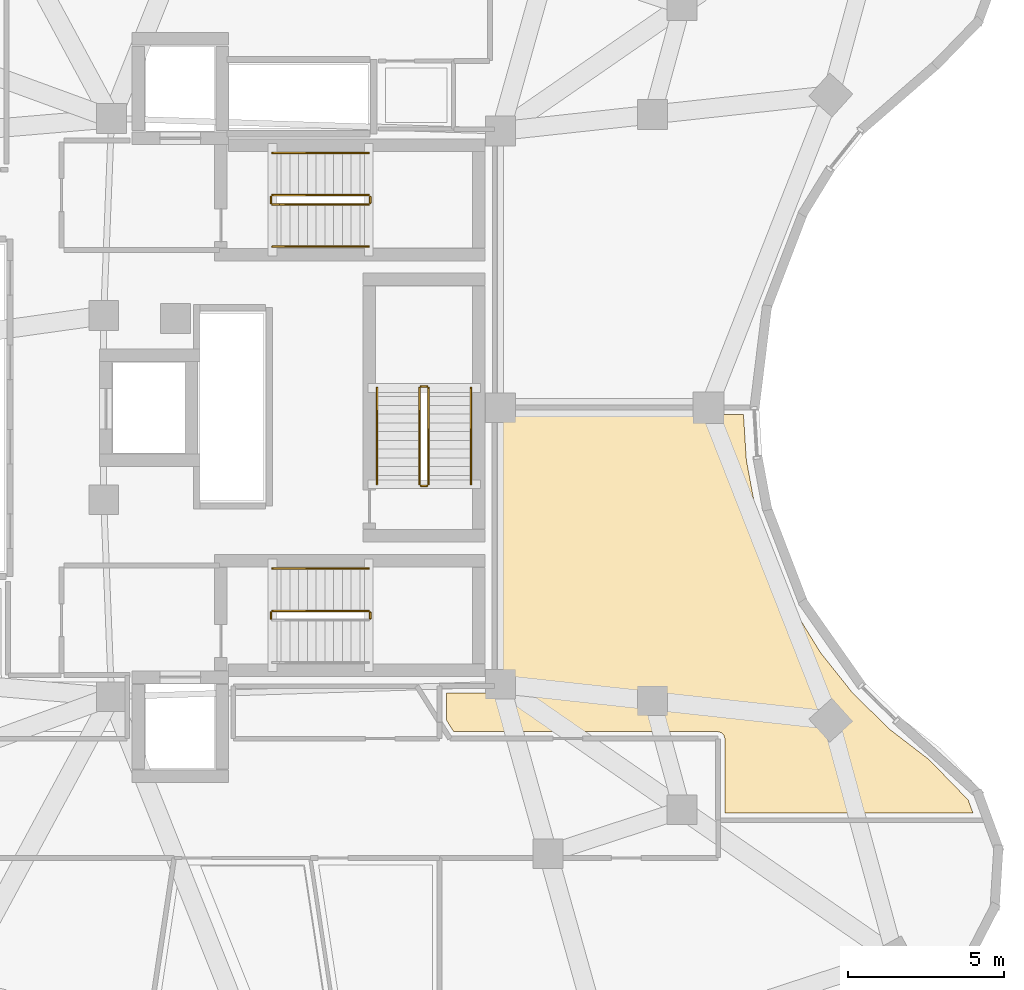
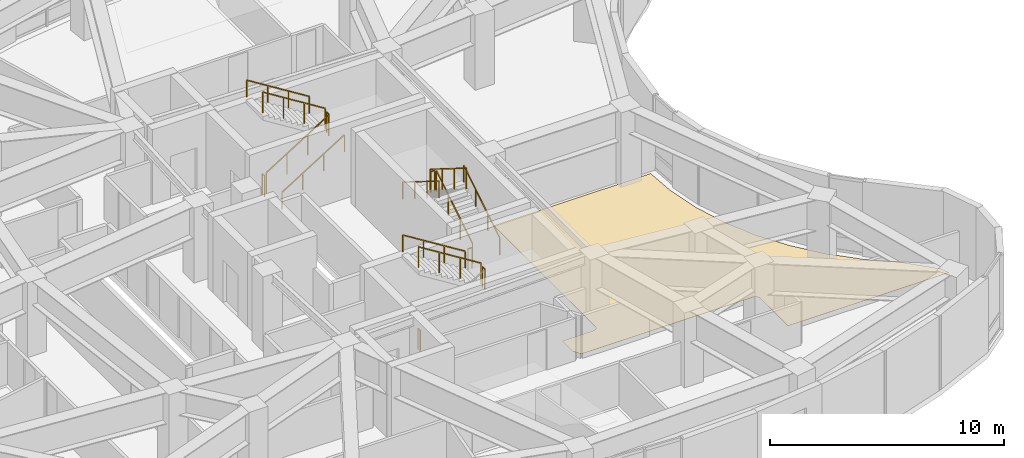
# One storey, part 13 of 14: 16 railings, 1 covering.
"""IFC4 building model written with IfcOpenShell, lengths in metres."""

from ifc_helpers import new_model, si_unit, direction, frame, origin, origin_2d, place, context, subcontext, project, spatial, polyline, rectangle, outline, extrude, material, layer, layer_set, type_object, element, save


model = new_model("IFC4")

# Units and contexts
model_context = context("Model", 3, precision=1e-05, world=origin(), true_north=direction((0.0, 1.0)))
body_context = subcontext(model_context, "Body", "Model", "MODEL_VIEW")
ifc_project = project(units=[si_unit("LENGTHUNIT", "METRE"), si_unit("AREAUNIT", "SQUARE_METRE"), si_unit("VOLUMEUNIT", "CUBIC_METRE"), si_unit("PLANEANGLEUNIT", "RADIAN"), si_unit("MASSUNIT", "GRAM", prefix="KILO")], contexts=[model_context])

# Site, building, storey
site_placement = place(None, origin())
site = spatial("IfcSite", under=ifc_project, at=site_placement, CompositionType="ELEMENT")
building_placement = place(site_placement, origin())
building = spatial("IfcBuilding", under=site, at=building_placement, Name="Korentha Bioscience Tower", CompositionType="ELEMENT")
storey_placement = place(building_placement, frame((0.0, 0.0, 239.39990234375)))
storey = spatial("IfcBuildingStorey", under=building, at=storey_placement, Name="L55", CompositionType="ELEMENT", Elevation=239.39990234375)

# Railings
ifc_material_1 = material(Name="Stainless Steel 304", Category="steel")
railing_type_1 = type_object("IfcRailingType", Name="Brushed Stainless Stair Handrail 900", PredefinedType="HANDRAIL", material=ifc_material_1)
railing_1_placement = place(storey_placement, frame((30.25, 32.14990234375, 0.175048828125)))
element("IfcRailing", 1, at=railing_1_placement, inside=storey, type_object=railing_type_1, Name="L55 ST-1 stair handrail 1", PredefinedType="HANDRAIL", context=body_context, shape_type="SweptSolid", body=[
    extrude(rectangle(XDim=0.048095703125, YDim=0.048095703125, at=origin_2d()), frame((0.0, 0.0, 0.8759765625), z_axis=(0.847998304005, 0.0, 0.529998940003), x_axis=(0.0, 1.0, 0.0)), (0.0, 0.0, 1.0), 3.632080078125),
    extrude(rectangle(XDim=0.0419921875, YDim=0.0419921875, at=origin_2d()), origin(), (0.0, 0.0, 1.0), 0.851806640625),
    extrude(rectangle(XDim=0.0419921875, YDim=0.0419921875, at=origin_2d()), frame((1.026611328125, 0.0, 0.6416015625)), (0.0, 0.0, 1.0), 0.851806640625),
    extrude(rectangle(XDim=0.0419921875, YDim=0.0419921875, at=origin_2d()), frame((2.053466796875, 0.0, 1.283447265625)), (0.0, 0.0, 1.0), 0.851806640625),
    extrude(rectangle(XDim=0.0419921875, YDim=0.0419921875, at=origin_2d()), frame((3.080078125, 0.0, 1.925048828125)), (0.0, 0.0, 1.0), 0.851806640625),
])
for number, where, name in (
    (2, (33.330078125, 35.14990234375, 2.275146484375), "L55 ST-1 stair handrail 2"),
    (3, (33.330078125, 21.85009765625, 2.275146484375), "L55 ST-2 stair handrail 2"),
):
    element("IfcRailing", number, at=place(storey_placement, frame(where)), inside=storey, type_object=railing_type_1, Name=name, PredefinedType="HANDRAIL", context=body_context, shape_type="SweptSolid", body=[
        extrude(rectangle(XDim=0.048095703125, YDim=0.048095703125, at=origin_2d()), frame((0.0, 0.0, 0.8759765625), z_axis=(-0.847998304005, 0.0, 0.529998940003), x_axis=(0.0, -1.0, 0.0)), (0.0, 0.0, 1.0), 3.632080078125),
        extrude(rectangle(XDim=0.0419921875, YDim=0.0419921875, at=origin_2d()), origin(), (0.0, 0.0, 1.0), 0.851806640625),
        extrude(rectangle(XDim=0.0419921875, YDim=0.0419921875, at=origin_2d()), frame((-1.026611328125, 0.0, 0.6416015625)), (0.0, 0.0, 1.0), 0.851806640625),
        extrude(rectangle(XDim=0.0419921875, YDim=0.0419921875, at=origin_2d()), frame((-2.053466796875, 0.0, 1.283447265625)), (0.0, 0.0, 1.0), 0.851806640625),
        extrude(rectangle(XDim=0.0419921875, YDim=0.0419921875, at=origin_2d()), frame((-3.080078125, 0.0, 1.925048828125)), (0.0, 0.0, 1.0), 0.851806640625),
    ])
railing_2_placement = place(storey_placement, frame((36.60009765625, 24.550048828125, 0.175048828125)))
element("IfcRailing", 4, at=railing_2_placement, inside=storey, type_object=railing_type_1, Name="L55 ST-3 stair handrail 1", PredefinedType="HANDRAIL", context=body_context, shape_type="SweptSolid", body=[
    extrude(rectangle(XDim=0.048095703125, YDim=0.048095703125, at=origin_2d()), frame((0.0, 0.0, 0.8759765625), z_axis=(0.0, 0.847979421464, 0.530029150871), x_axis=(-1.0, 0.0, 0.0)), (0.0, 0.0, 1.0), 3.632080078125),
    extrude(rectangle(XDim=0.0419921875, YDim=0.0419921875, at=origin_2d()), origin(), (0.0, 0.0, 1.0), 0.851806640625),
    extrude(rectangle(XDim=0.0419921875, YDim=0.0419921875, at=origin_2d()), frame((0.0, 1.026611328125, 0.6416015625)), (0.0, 0.0, 1.0), 0.851806640625),
    extrude(rectangle(XDim=0.0419921875, YDim=0.0419921875, at=origin_2d()), frame((0.0, 2.05322265625, 1.283447265625)), (0.0, 0.0, 1.0), 0.851806640625),
    extrude(rectangle(XDim=0.0419921875, YDim=0.0419921875, at=origin_2d()), frame((0.0, 3.079833984375, 1.925048828125)), (0.0, 0.0, 1.0), 0.851806640625),
])
railing_3_placement = place(storey_placement, frame((33.60009765625, 27.6298828125, 2.275146484375)))
element("IfcRailing", 5, at=railing_3_placement, inside=storey, type_object=railing_type_1, Name="L55 ST-3 stair handrail 2", PredefinedType="HANDRAIL", context=body_context, shape_type="SweptSolid", body=[
    extrude(rectangle(XDim=0.048095703125, YDim=0.048095703125, at=origin_2d()), frame((0.0, 0.0, 0.8759765625), z_axis=(0.0, -0.847979421464, 0.530029150871), x_axis=(1.0, 0.0, 0.0)), (0.0, 0.0, 1.0), 3.632080078125),
    extrude(rectangle(XDim=0.0419921875, YDim=0.0419921875, at=origin_2d()), origin(), (0.0, 0.0, 1.0), 0.851806640625),
    extrude(rectangle(XDim=0.0419921875, YDim=0.0419921875, at=origin_2d()), frame((0.0, -1.026611328125, 0.6416015625)), (0.0, 0.0, 1.0), 0.851806640625),
    extrude(rectangle(XDim=0.0419921875, YDim=0.0419921875, at=origin_2d()), frame((0.0, -2.05322265625, 1.283447265625)), (0.0, 0.0, 1.0), 0.851806640625),
    extrude(rectangle(XDim=0.0419921875, YDim=0.0419921875, at=origin_2d()), frame((0.0, -3.079833984375, 1.925048828125)), (0.0, 0.0, 1.0), 0.851806640625),
])
ifc_material_2 = material(Name="Painted Steel S275", Category="steel")
railing_type_2 = type_object("IfcRailingType", Name="Painted Steel Stair Well Guardrail 1100", PredefinedType="GUARDRAIL", material=ifc_material_2)
railing_4_placement = place(storey_placement, frame((30.25, 33.5, 0.175048828125)))
element("IfcRailing", 6, at=railing_4_placement, inside=storey, type_object=railing_type_2, Name="L55 ST-1 stair guard 1", PredefinedType="GUARDRAIL", context=body_context, shape_type="SweptSolid", body=[
    extrude(rectangle(XDim=0.048095703125, YDim=0.048095703125, at=origin_2d()), frame((0.0, 0.0, 1.076171875), z_axis=(0.847998304005, 0.0, 0.529998940003), x_axis=(0.0, 1.0, 0.0)), (0.0, 0.0, 1.0), 3.632080078125),
    extrude(rectangle(XDim=0.0419921875, YDim=0.0419921875, at=origin_2d()), origin(), (0.0, 0.0, 1.0), 1.052001953125),
    extrude(rectangle(XDim=0.0419921875, YDim=0.0419921875, at=origin_2d()), frame((1.026611328125, 0.0, 0.6416015625)), (0.0, 0.0, 1.0), 1.052001953125),
    extrude(rectangle(XDim=0.0419921875, YDim=0.0419921875, at=origin_2d()), frame((2.053466796875, 0.0, 1.283447265625)), (0.0, 0.0, 1.0), 1.052001953125),
    extrude(rectangle(XDim=0.0419921875, YDim=0.0419921875, at=origin_2d()), frame((3.080078125, 0.0, 1.925048828125)), (0.0, 0.0, 1.0), 1.052001953125),
])
railing_5_placement = place(storey_placement, frame((33.3798828125, 33.550048828125, 2.10009765625)))
element("IfcRailing", 7, at=railing_5_placement, inside=storey, type_object=railing_type_2, Name="L55 ST-1 stair guard 2", PredefinedType="GUARDRAIL", context=body_context, shape_type="SweptSolid", body=[
    extrude(rectangle(XDim=0.048095703125, YDim=0.048095703125, at=origin_2d()), frame((0.0, 0.0, 1.076171875), z_axis=(0.0, 1.0, 0.0), x_axis=(-1.0, 0.0, 0.0)), (0.0, 0.0, 1.0), 0.199951171875),
    extrude(rectangle(XDim=0.0419921875, YDim=0.0419921875, at=origin_2d()), origin(), (0.0, 0.0, 1.0), 1.052001953125),
    extrude(rectangle(XDim=0.0419921875, YDim=0.0419921875, at=origin_2d()), frame((0.0, 0.199951171875, 0.0)), (0.0, 0.0, 1.0), 1.052001953125),
])
railing_6_placement = place(storey_placement, frame((33.330078125, 33.800048828125, 2.275146484375)))
element("IfcRailing", 8, at=railing_6_placement, inside=storey, type_object=railing_type_2, Name="L55 ST-1 stair guard 3", PredefinedType="GUARDRAIL", context=body_context, shape_type="SweptSolid", body=[
    extrude(rectangle(XDim=0.048095703125, YDim=0.048095703125, at=origin_2d()), frame((0.0, 0.0, 1.076171875), z_axis=(-0.847998304005, 0.0, 0.529998940003), x_axis=(0.0, -1.0, 0.0)), (0.0, 0.0, 1.0), 3.632080078125),
    extrude(rectangle(XDim=0.0419921875, YDim=0.0419921875, at=origin_2d()), origin(), (0.0, 0.0, 1.0), 1.052001953125),
    extrude(rectangle(XDim=0.0419921875, YDim=0.0419921875, at=origin_2d()), frame((-1.026611328125, 0.0, 0.6416015625)), (0.0, 0.0, 1.0), 1.052001953125),
    extrude(rectangle(XDim=0.0419921875, YDim=0.0419921875, at=origin_2d()), frame((-2.053466796875, 0.0, 1.283447265625)), (0.0, 0.0, 1.0), 1.052001953125),
    extrude(rectangle(XDim=0.0419921875, YDim=0.0419921875, at=origin_2d()), frame((-3.080078125, 0.0, 1.925048828125)), (0.0, 0.0, 1.0), 1.052001953125),
])
for number, where, name in (
    (9, (30.199951171875, 33.550048828125, 0.0), "L55 ST-1 stair guard 4"),
    (10, (33.3798828125, 20.25, 2.10009765625), "L55 ST-2 stair guard 2"),
):
    element("IfcRailing", number, at=place(storey_placement, frame(where)), inside=storey, type_object=railing_type_2, Name=name, PredefinedType="GUARDRAIL", context=body_context, shape_type="SweptSolid", body=[
        extrude(rectangle(XDim=0.048095703125, YDim=0.048095703125, at=origin_2d()), frame((0.0, 0.0, 1.076171875), z_axis=(0.0, 1.0, 0.0), x_axis=(-1.0, 0.0, 0.0)), (0.0, 0.0, 1.0), 0.199951171875),
        extrude(rectangle(XDim=0.0419921875, YDim=0.0419921875, at=origin_2d()), origin(), (0.0, 0.0, 1.0), 1.052001953125),
        extrude(rectangle(XDim=0.0419921875, YDim=0.0419921875, at=origin_2d()), frame((0.0, 0.199951171875, 0.0)), (0.0, 0.0, 1.0), 1.052001953125),
    ])
railing_7_placement = place(storey_placement, frame((33.330078125, 20.5, 2.275146484375)))
element("IfcRailing", 11, at=railing_7_placement, inside=storey, type_object=railing_type_2, Name="L55 ST-2 stair guard 3", PredefinedType="GUARDRAIL", context=body_context, shape_type="SweptSolid", body=[
    extrude(rectangle(XDim=0.048095703125, YDim=0.048095703125, at=origin_2d()), frame((0.0, 0.0, 1.076171875), z_axis=(-0.847998304005, 0.0, 0.529998940003), x_axis=(0.0, -1.0, 0.0)), (0.0, 0.0, 1.0), 3.632080078125),
    extrude(rectangle(XDim=0.0419921875, YDim=0.0419921875, at=origin_2d()), origin(), (0.0, 0.0, 1.0), 1.052001953125),
    extrude(rectangle(XDim=0.0419921875, YDim=0.0419921875, at=origin_2d()), frame((-1.026611328125, 0.0, 0.6416015625)), (0.0, 0.0, 1.0), 1.052001953125),
    extrude(rectangle(XDim=0.0419921875, YDim=0.0419921875, at=origin_2d()), frame((-2.053466796875, 0.0, 1.283447265625)), (0.0, 0.0, 1.0), 1.052001953125),
    extrude(rectangle(XDim=0.0419921875, YDim=0.0419921875, at=origin_2d()), frame((-3.080078125, 0.0, 1.925048828125)), (0.0, 0.0, 1.0), 1.052001953125),
])
railing_8_placement = place(storey_placement, frame((30.199951171875, 20.25, 0.0)))
element("IfcRailing", 12, at=railing_8_placement, inside=storey, type_object=railing_type_2, Name="L55 ST-2 stair guard 4", PredefinedType="GUARDRAIL", context=body_context, shape_type="SweptSolid", body=[
    extrude(rectangle(XDim=0.048095703125, YDim=0.048095703125, at=origin_2d()), frame((0.0, 0.0, 1.076171875), z_axis=(0.0, 1.0, 0.0), x_axis=(-1.0, 0.0, 0.0)), (0.0, 0.0, 1.0), 0.199951171875),
    extrude(rectangle(XDim=0.0419921875, YDim=0.0419921875, at=origin_2d()), origin(), (0.0, 0.0, 1.0), 1.052001953125),
    extrude(rectangle(XDim=0.0419921875, YDim=0.0419921875, at=origin_2d()), frame((0.0, 0.199951171875, 0.0)), (0.0, 0.0, 1.0), 1.052001953125),
])
railing_9_placement = place(storey_placement, frame((35.25, 24.550048828125, 0.175048828125)))
element("IfcRailing", 13, at=railing_9_placement, inside=storey, type_object=railing_type_2, Name="L55 ST-3 stair guard 1", PredefinedType="GUARDRAIL", context=body_context, shape_type="SweptSolid", body=[
    extrude(rectangle(XDim=0.048095703125, YDim=0.048095703125, at=origin_2d()), frame((0.0, 0.0, 1.076171875), z_axis=(0.0, 0.847979421464, 0.530029150871), x_axis=(-1.0, 0.0, 0.0)), (0.0, 0.0, 1.0), 3.632080078125),
    extrude(rectangle(XDim=0.0419921875, YDim=0.0419921875, at=origin_2d()), origin(), (0.0, 0.0, 1.0), 1.052001953125),
    extrude(rectangle(XDim=0.0419921875, YDim=0.0419921875, at=origin_2d()), frame((0.0, 1.026611328125, 0.6416015625)), (0.0, 0.0, 1.0), 1.052001953125),
    extrude(rectangle(XDim=0.0419921875, YDim=0.0419921875, at=origin_2d()), frame((0.0, 2.05322265625, 1.283447265625)), (0.0, 0.0, 1.0), 1.052001953125),
    extrude(rectangle(XDim=0.0419921875, YDim=0.0419921875, at=origin_2d()), frame((0.0, 3.079833984375, 1.925048828125)), (0.0, 0.0, 1.0), 1.052001953125),
])
railing_10_placement = place(storey_placement, frame((35.199951171875, 27.679931640625, 2.10009765625)))
element("IfcRailing", 14, at=railing_10_placement, inside=storey, type_object=railing_type_2, Name="L55 ST-3 stair guard 2", PredefinedType="GUARDRAIL", context=body_context, shape_type="SweptSolid", body=[
    extrude(rectangle(XDim=0.048095703125, YDim=0.048095703125, at=origin_2d()), frame((0.0, 0.0, 1.076171875), z_axis=(-1.0, 0.0, 0.0), x_axis=(0.0, -1.0, 0.0)), (0.0, 0.0, 1.0), 0.199951171875),
    extrude(rectangle(XDim=0.0419921875, YDim=0.0419921875, at=origin_2d()), origin(), (0.0, 0.0, 1.0), 1.052001953125),
    extrude(rectangle(XDim=0.0419921875, YDim=0.0419921875, at=origin_2d()), frame((-0.199951171875, 0.0, 0.0)), (0.0, 0.0, 1.0), 1.052001953125),
])
railing_11_placement = place(storey_placement, frame((34.949951171875, 27.6298828125, 2.275146484375)))
element("IfcRailing", 15, at=railing_11_placement, inside=storey, type_object=railing_type_2, Name="L55 ST-3 stair guard 3", PredefinedType="GUARDRAIL", context=body_context, shape_type="SweptSolid", body=[
    extrude(rectangle(XDim=0.048095703125, YDim=0.048095703125, at=origin_2d()), frame((0.0, 0.0, 1.076171875), z_axis=(0.0, -0.847979421464, 0.530029150871), x_axis=(1.0, 0.0, 0.0)), (0.0, 0.0, 1.0), 3.632080078125),
    extrude(rectangle(XDim=0.0419921875, YDim=0.0419921875, at=origin_2d()), origin(), (0.0, 0.0, 1.0), 1.052001953125),
    extrude(rectangle(XDim=0.0419921875, YDim=0.0419921875, at=origin_2d()), frame((0.0, -1.026611328125, 0.6416015625)), (0.0, 0.0, 1.0), 1.052001953125),
    extrude(rectangle(XDim=0.0419921875, YDim=0.0419921875, at=origin_2d()), frame((0.0, -2.05322265625, 1.283447265625)), (0.0, 0.0, 1.0), 1.052001953125),
    extrude(rectangle(XDim=0.0419921875, YDim=0.0419921875, at=origin_2d()), frame((0.0, -3.079833984375, 1.925048828125)), (0.0, 0.0, 1.0), 1.052001953125),
])
railing_12_placement = place(storey_placement, frame((35.199951171875, 24.5, 0.0)))
element("IfcRailing", 16, at=railing_12_placement, inside=storey, type_object=railing_type_2, Name="L55 ST-3 stair guard 4", PredefinedType="GUARDRAIL", context=body_context, shape_type="SweptSolid", body=[
    extrude(rectangle(XDim=0.048095703125, YDim=0.048095703125, at=origin_2d()), frame((0.0, 0.0, 1.076171875), z_axis=(-1.0, 0.0, 0.0), x_axis=(0.0, -1.0, 0.0)), (0.0, 0.0, 1.0), 0.199951171875),
    extrude(rectangle(XDim=0.0419921875, YDim=0.0419921875, at=origin_2d()), origin(), (0.0, 0.0, 1.0), 1.052001953125),
    extrude(rectangle(XDim=0.0419921875, YDim=0.0419921875, at=origin_2d()), frame((-0.199951171875, 0.0, 0.0)), (0.0, 0.0, 1.0), 1.052001953125),
])

# Covering
ifc_material_3 = material(Name="Chemical-Resistant Epoxy Resin", Category="polymer")
ifc_layer = layer(ifc_material_3, 0.011962890625, Name="Chemical-Resistant Epoxy Resin")
ifc_layer_set = layer_set([ifc_layer], Name="Chemical-Resistant Epoxy Resin (FL-EPX)")
covering_type = type_object("IfcCoveringType", Name="Seamless Epoxy Laboratory Flooring 12", PredefinedType="FLOORING", material=ifc_layer_set)
covering_placement = place(storey_placement, origin())
element("IfcCovering", 17, at=covering_placement, inside=storey, type_object=covering_type, Name="L55 Clean Linen and Labcoat Store 09 Floor Finish", PredefinedType="FLOORING", context=body_context, shape_type="SweptSolid", body=[
    extrude(outline(polyline([(35.822021484375, 17.8701171875), (37.38330078125, 17.872314453125), (37.5048828125, 17.929931640625), (37.5576171875, 18.001220703125), (37.577392578125, 18.06591796875), (37.580078125, 26.778076171875), (45.321533203125, 26.778076171875), (45.413330078125, 25.3203125), (45.718994140625, 23.682861328125), (46.221923828125, 22.094970703125), (46.917724609375, 20.57421875), (47.78662109375, 19.161376953125), (48.801513671875, 17.885498046875), (49.988037109375, 16.71630859375), (51.26708984375, 15.731689453125), (52.51025390625, 14.448486328125), (52.664794921875, 14.028076171875), (44.72998046875, 14.028076171875), (44.729736328125, 16.411865234375), (44.68505859375, 16.53662109375), (44.597900390625, 16.608154296875), (44.5, 16.6298828125), (36.05126953125, 16.6298828125), (35.822021484375, 16.9951171875), (35.822021484375, 17.8701171875)])), origin(), (0.0, 0.0, 1.0), 0.01220703125),
])

save(model, "model.ifc")
